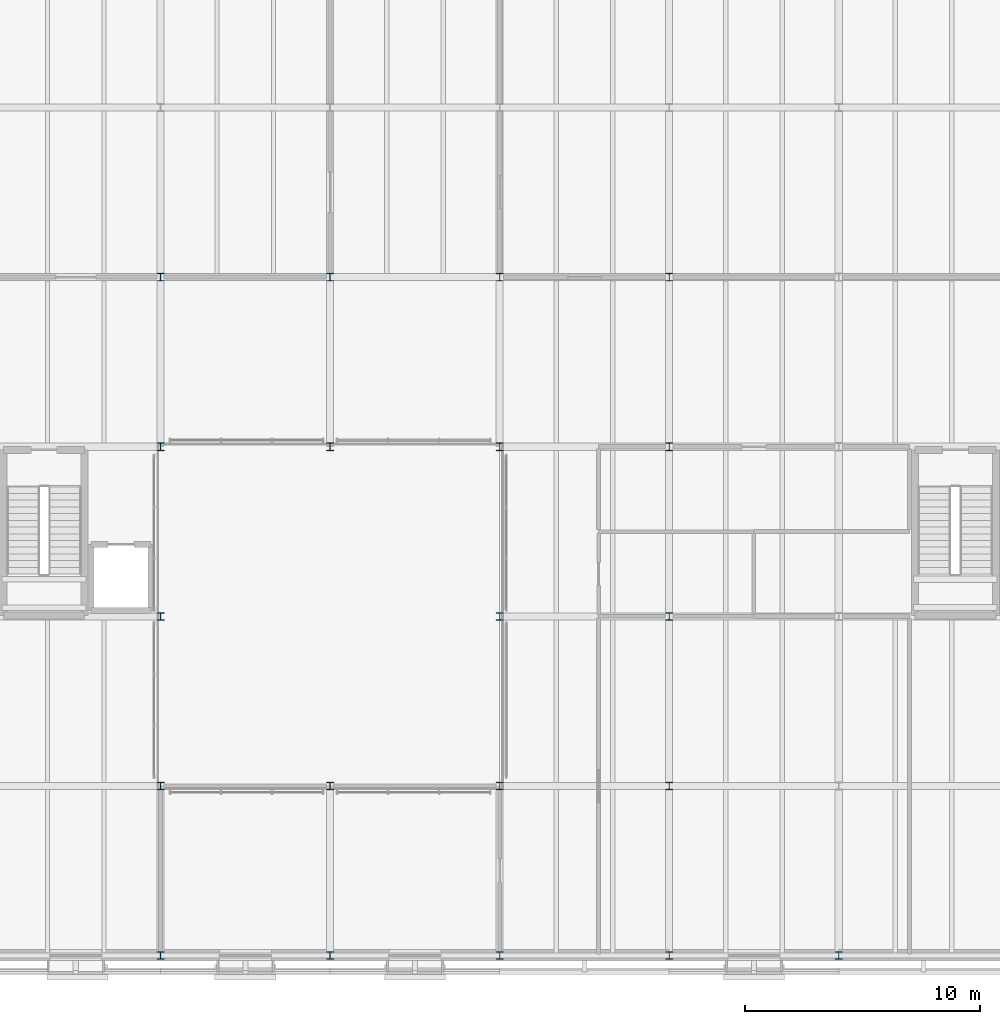
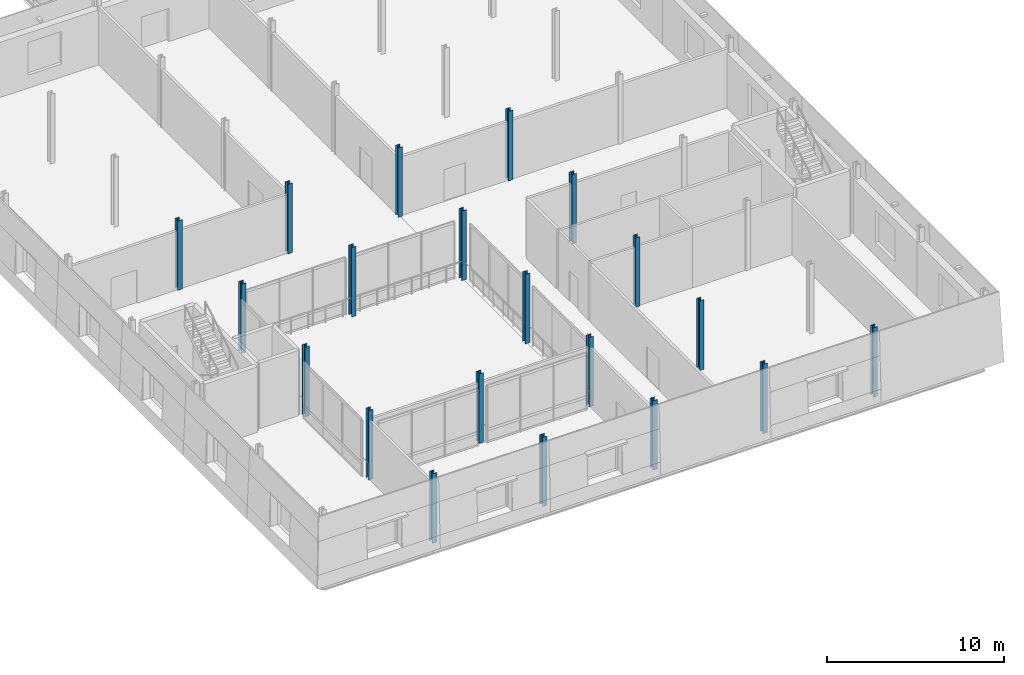
# One storey, part 16 of 121: 20 columns.
"""IFC4 building model written with IfcOpenShell, lengths in metres."""

from ifc_helpers import new_model, si_unit, direction, frame, origin, origin_2d, place, context, subcontext, project, spatial, i_section, extrude, material, material_profile, profile_set, type_object, element, save


model = new_model("IFC4")

# Units and contexts
model_context = context("Model", 3, precision=1e-05, world=origin(), true_north=direction((0.0, 1.0)))
body_context = subcontext(model_context, "Body", "Model", "MODEL_VIEW")
ifc_project = project(units=[si_unit("LENGTHUNIT", "METRE"), si_unit("AREAUNIT", "SQUARE_METRE"), si_unit("VOLUMEUNIT", "CUBIC_METRE"), si_unit("PLANEANGLEUNIT", "RADIAN"), si_unit("MASSUNIT", "GRAM", prefix="KILO")], contexts=[model_context])

# Site, building, storey
site_placement = place(None, origin())
site = spatial("IfcSite", under=ifc_project, at=site_placement, CompositionType="ELEMENT")
building_placement = place(site_placement, origin())
building = spatial("IfcBuilding", under=site, at=building_placement, Name="Narikvali Park Central Library", CompositionType="ELEMENT")
storey_placement = place(building_placement, frame((0.0, 0.0, 5.39990234375)))
storey = spatial("IfcBuildingStorey", under=building, at=storey_placement, Name="L01", CompositionType="ELEMENT", Elevation=5.39990234375)

# Columns
ifc_material = material(Name="Steel S355", Category="steel")
ifc_material_profile = material_profile(ifc_material, i_section(OverallWidth=0.300048828125, OverallDepth=0.320068359375, WebThickness=0.011474609375, FlangeThickness=0.0205078125, FilletRadius=0.027099609375, at=origin_2d()), Name="HEB 320")
ifc_profile_set = profile_set([ifc_material_profile], Name="Steel S355")
column_type = type_object("IfcColumnType", Name="Steel Column HEB320", PredefinedType="COLUMN", material=ifc_profile_set)
for number, where, z_axis, x_axis, name in (
    (1, (129.60009765625, 0.0, 0.0), (0.0, 0.0, 1.0), (1.0, 0.0, 0.0), "V6 L01 Column (129.6,0.0)"),
    (2, (129.60009765625, 7.199951171875, 0.0), (0.0, 0.0, 1.0), (1.0, 0.0, 0.0), "V6 L01 Column (129.6,7.2)"),
    (3, (129.60009765625, 14.39990234375, 0.0), (0.0, 0.0, 1.0), (1.0, 0.0, 0.0), "V6 L01 Column (129.6,14.4)"),
    (4, (129.60009765625, 21.60009765625, 0.0), (0.0, 0.0, 1.0), (1.0, 0.0, 0.0), "V6 L01 Column (129.6,21.6)"),
    (5, (129.60009765625, 28.800048828125, 0.0), (0.0, 0.0, 1.0), (1.0, 0.0, 0.0), "V6 L01 Column (129.6,28.8)"),
    (6, (136.800048828125, 0.0, 0.0), (0.0, 0.0, 1.0), (1.0, 0.0, 0.0), "V6 L01 Column (136.8,0.0)"),
    (7, (136.800048828125, 7.199951171875, 0.0), (0.0, 0.0, 1.0), (1.0, 0.0, 0.0), "V6 L01 Column (136.8,7.2)"),
    (8, (136.800048828125, 21.60009765625, 0.0), (0.0, 0.0, 1.0), (1.0, 0.0, 0.0), "V6 L01 Column (136.8,21.6)"),
    (9, (136.800048828125, 28.800048828125, 0.0), (0.0, 0.0, 1.0), (1.0, 0.0, 0.0), "V6 L01 Column (136.8,28.8)"),
    (10, (144.0, 0.0, 0.0), (0.0, 0.0, 1.0), (1.0, 0.0, 0.0), "V6 L01 Column (144.0,0.0)"),
    (11, (144.0, 7.199951171875, 0.0), (0.0, 0.0, 1.0), (1.0, 0.0, 0.0), "V6 L01 Column (144.0,7.2)"),
    (12, (144.0, 14.39990234375, 0.0), (0.0, 0.0, 1.0), (1.0, 0.0, 0.0), "V6 L01 Column (144.0,14.4)"),
    (13, (144.0, 21.60009765625, 0.0), (0.0, 0.0, 1.0), (1.0, 0.0, 0.0), "V6 L01 Column (144.0,21.6)"),
    (14, (144.0, 28.800048828125, 0.0), (0.0, 0.0, 1.0), (1.0, 0.0, 0.0), "V6 L01 Column (144.0,28.8)"),
    (15, (151.199951171875, 0.0, 0.0), (0.0, 0.0, 1.0), (1.0, 0.0, 0.0), "V6 L01 Column (151.2,0.0)"),
    (16, (151.199951171875, 7.199951171875, 0.0), (0.0, 0.0, 1.0), (1.0, 0.0, 0.0), "V6 L01 Column (151.2,7.2)"),
    (17, (151.199951171875, 14.39990234375, 0.0), (0.0, 0.0, 1.0), (1.0, 0.0, 0.0), "V6 L01 Column (151.2,14.4)"),
    (18, (151.199951171875, 21.60009765625, 0.0), (0.0, 0.0, 1.0), (1.0, 0.0, 0.0), "V6 L01 Column (151.2,21.6)"),
    (19, (151.199951171875, 28.800048828125, 0.0), (0.0, 0.0, 1.0), (1.0, 0.0, 0.0), "V6 L01 Column (151.2,28.8)"),
    (20, (158.39990234375, 0.0, 0.0), (0.0, 0.0, 1.0), (1.0, 0.0, 0.0), "V6 L01 Column (158.4,0.0)"),
):
    element("IfcColumn", number, at=place(storey_placement, frame(where, z_axis=z_axis, x_axis=x_axis)), inside=storey, type_object=column_type, Name=name, PredefinedType="COLUMN", context=body_context, shape_type="SweptSolid", body=[
        extrude(i_section(OverallWidth=0.300048828125, OverallDepth=0.320068359375, WebThickness=0.011474609375, FlangeThickness=0.0205078125, FilletRadius=0.027099609375, at=origin_2d()), origin(), (0.0, 0.0, 1.0), 4.800048828125),
    ])

save(model, "model.ifc")
